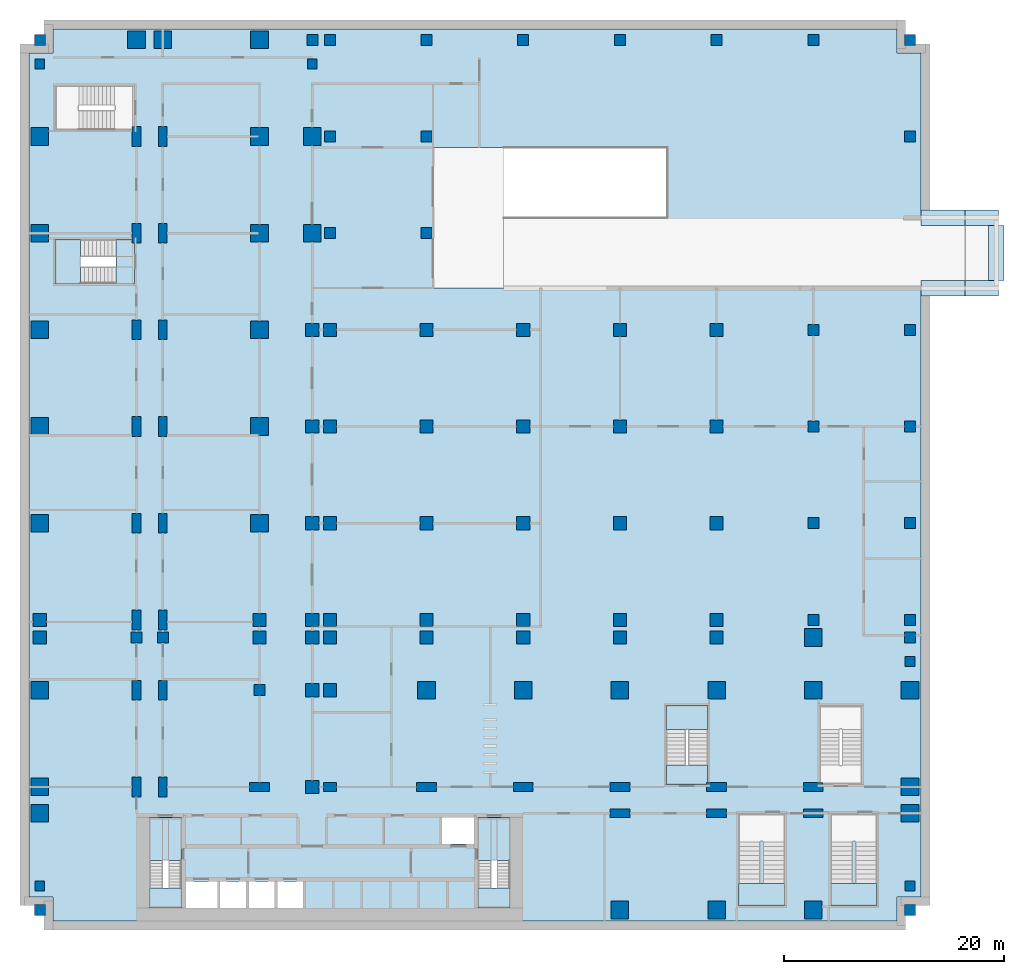
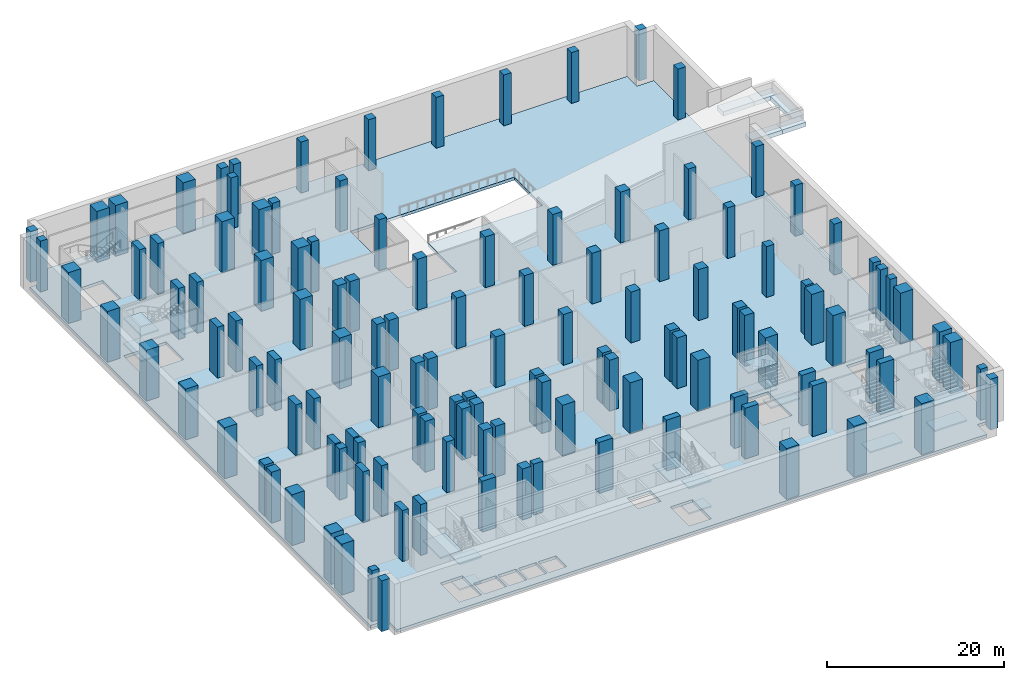
# One storey, part 1 of 15: 126 columns, 17 slabs, 5 footings, 6 elements without a shape of their own.
"""IFC4 building model written with IfcOpenShell, lengths in metres."""

from ifc_helpers import new_model, si_unit, direction, frame, origin, origin_2d, place, context, subcontext, project, spatial, polyline, rectangle, outline, extrude, material, layer, layer_set, material_profile, profile_set, type_object, element, aggregate, save


model = new_model("IFC4")

# Units and contexts
model_context = context("Model", 3, precision=1e-05, world=origin(), true_north=direction((0.0, 1.0)))
body_context = subcontext(model_context, "Body", "Model", "MODEL_VIEW")
ifc_project = project(units=[si_unit("LENGTHUNIT", "METRE"), si_unit("AREAUNIT", "SQUARE_METRE"), si_unit("VOLUMEUNIT", "CUBIC_METRE"), si_unit("PLANEANGLEUNIT", "RADIAN"), si_unit("MASSUNIT", "GRAM", prefix="KILO")], contexts=[model_context])

# Site, building, storey
site_placement = place(None, origin())
site = spatial("IfcSite", under=ifc_project, at=site_placement, CompositionType="ELEMENT")
building_placement = place(site_placement, origin())
building = spatial("IfcBuilding", under=site, at=building_placement, Name="Kemantara Hotel Tower", CompositionType="ELEMENT")
storey_placement = place(building_placement, frame((0.0, 0.0, -7.0)))
storey = spatial("IfcBuildingStorey", under=building, at=storey_placement, Name="B1", CompositionType="ELEMENT", Elevation=-7.0)

# Footings
ifc_material_1 = material(Name="Concrete fc 40 MPa", Category="concrete")
footing_type = type_object("IfcFootingType", Name="RC STRIP FOOTING 1400X600", PredefinedType="STRIP_FOOTING", material=ifc_material_1)
footing_1_placement = place(storey_placement, frame((0.0, 0.0, 4.60009765625)))
element("IfcFooting", 1, at=footing_1_placement, inside=storey, type_object=footing_type, Name="STRIP FOOTING UNDER RAMP RETAINING WALL", PredefinedType="STRIP_FOOTING", context=body_context, shape_type="SweptSolid", body=[
    extrude(outline(polyline([(81.199951171875, 56.89990234375), (85.199951171875, 56.89990234375), (85.199951171875, 58.300048828125), (81.199951171875, 58.300048828125), (81.199951171875, 56.89990234375)])), origin(), (0.0, 0.0, 1.0), 0.599853515625),
])
footing_2_placement = place(storey_placement, frame((0.0, 0.0, 4.60009765625)))
element("IfcFooting", 2, at=footing_2_placement, inside=storey, type_object=footing_type, Name="STRIP FOOTING UNDER RAMP RETAINING WALL", PredefinedType="STRIP_FOOTING", context=body_context, shape_type="SweptSolid", body=[
    extrude(outline(polyline([(81.199951171875, 63.300048828125), (85.199951171875, 63.300048828125), (85.199951171875, 64.699951171875), (81.199951171875, 64.699951171875), (81.199951171875, 63.300048828125)])), origin(), (0.0, 0.0, 1.0), 0.599853515625),
])
footing_3_placement = place(storey_placement, frame((0.0, 0.0, 4.60009765625)))
element("IfcFooting", 3, at=footing_3_placement, inside=storey, type_object=footing_type, Name="STRIP FOOTING UNDER RAMP RETAINING WALL", PredefinedType="STRIP_FOOTING", context=body_context, shape_type="SweptSolid", body=[
    extrude(outline(polyline([(85.199951171875, 56.89990234375), (88.2568359375, 56.89990234375), (88.2568359375, 58.300048828125), (85.199951171875, 58.300048828125), (85.199951171875, 56.89990234375)])), origin(), (0.0, 0.0, 1.0), 0.599853515625),
])
footing_4_placement = place(storey_placement, frame((0.0, 0.0, 4.60009765625)))
element("IfcFooting", 4, at=footing_4_placement, inside=storey, type_object=footing_type, Name="STRIP FOOTING UNDER RAMP RETAINING WALL", PredefinedType="STRIP_FOOTING", context=body_context, shape_type="SweptSolid", body=[
    extrude(outline(polyline([(85.199951171875, 63.300048828125), (88.2568359375, 63.300048828125), (88.2568359375, 64.699951171875), (85.199951171875, 64.699951171875), (85.199951171875, 63.300048828125)])), origin(), (0.0, 0.0, 1.0), 0.599853515625),
])
footing_5_placement = place(storey_placement, frame((0.0, 0.0, 4.60009765625)))
element("IfcFooting", 5, at=footing_5_placement, inside=storey, type_object=footing_type, Name="STRIP FOOTING UNDER RAMP RETAINING WALL", PredefinedType="STRIP_FOOTING", context=body_context, shape_type="SweptSolid", body=[
    extrude(outline(polyline([(87.356689453125, 58.300048828125), (88.7568359375, 58.300048828125), (88.7568359375, 63.300048828125), (87.356689453125, 63.300048828125), (87.356689453125, 58.300048828125)])), origin(), (0.0, 0.0, 1.0), 0.599853515625),
])

# Columns
ifc_material_2 = material(Name="Concrete fc 70 MPa", Category="concrete")
ifc_material_profile_1 = material_profile(ifc_material_2, rectangle(XDim=1.0, YDim=1.0, at=origin_2d()), Name="RC 1000X1000")
ifc_profile_set_1 = profile_set([ifc_material_profile_1], Name="Concrete fc 70 MPa")
column_type_1 = type_object("IfcColumnType", Name="RC COLUMN 1000X1000 FC70", PredefinedType="COLUMN", material=ifc_profile_set_1)
for number, where, z_axis, x_axis, name in (
    (6, (1.0, 1.0, 0.0), (0.0, 0.0, 1.0), (1.0, 0.0, 0.0), "COLUMN 1/A B1"),
    (7, (1.0, 80.199951171875, 0.0), (0.0, 0.0, 1.0), (1.0, 0.0, 0.0), "COLUMN 1/K B1"),
    (8, (9.800048828125, 25.800048828125, 0.0), (0.0, 0.0, 1.0), (1.0, 0.0, 0.0), "COLUMN 2/CA B1"),
    (9, (12.199951171875, 25.800048828125, 0.0), (0.0, 0.0, 1.0), (1.0, 0.0, 0.0), "COLUMN 2A/CA B1"),
    (10, (21.0, 21.0, 0.0), (0.0, 0.0, 1.0), (1.0, 0.0, 0.0), "COLUMN 3/C B1"),
    (11, (25.800048828125, 80.199951171875, 0.0), (0.0, 0.0, 1.0), (1.0, 0.0, 0.0), "COLUMN 3A/K B1"),
    (12, (27.39990234375, 62.60009765625, 0.0), (0.0, 0.0, 1.0), (1.0, 0.0, 0.0), "COLUMN 4/H B1"),
    (13, (27.39990234375, 71.39990234375, 0.0), (0.0, 0.0, 1.0), (1.0, 0.0, 0.0), "COLUMN 4/J B1"),
    (14, (27.39990234375, 80.199951171875, 0.0), (0.0, 0.0, 1.0), (1.0, 0.0, 0.0), "COLUMN 4/K B1"),
    (15, (36.199951171875, 62.60009765625, 0.0), (0.0, 0.0, 1.0), (1.0, 0.0, 0.0), "COLUMN 5/H B1"),
    (16, (36.199951171875, 71.39990234375, 0.0), (0.0, 0.0, 1.0), (1.0, 0.0, 0.0), "COLUMN 5/J B1"),
    (17, (36.199951171875, 80.199951171875, 0.0), (0.0, 0.0, 1.0), (1.0, 0.0, 0.0), "COLUMN 5/K B1"),
    (18, (45.0, 80.199951171875, 0.0), (0.0, 0.0, 1.0), (1.0, 0.0, 0.0), "COLUMN 6/K B1"),
    (19, (53.800048828125, 80.199951171875, 0.0), (0.0, 0.0, 1.0), (1.0, 0.0, 0.0), "COLUMN 7/K B1"),
    (20, (62.60009765625, 80.199951171875, 0.0), (0.0, 0.0, 1.0), (1.0, 0.0, 0.0), "COLUMN 8/K B1"),
    (21, (71.39990234375, 27.39990234375, 0.0), (0.0, 0.0, 1.0), (1.0, 0.0, 0.0), "COLUMN 9/D B1"),
    (22, (71.39990234375, 36.199951171875, 0.0), (0.0, 0.0, 1.0), (1.0, 0.0, 0.0), "COLUMN 9/E B1"),
    (23, (71.39990234375, 45.0, 0.0), (0.0, 0.0, 1.0), (1.0, 0.0, 0.0), "COLUMN 9/F B1"),
    (24, (71.39990234375, 53.800048828125, 0.0), (0.0, 0.0, 1.0), (1.0, 0.0, 0.0), "COLUMN 9/G B1"),
    (25, (71.39990234375, 80.199951171875, 0.0), (0.0, 0.0, 1.0), (1.0, 0.0, 0.0), "COLUMN 9/K B1"),
    (26, (80.199951171875, 1.0, 0.0), (0.0, 0.0, 1.0), (1.0, 0.0, 0.0), "COLUMN 10/A B1"),
    (27, (80.199951171875, 25.800048828125, 0.0), (0.0, 0.0, 1.0), (1.0, 0.0, 0.0), "COLUMN 10/CA B1"),
    (28, (80.199951171875, 27.39990234375, 0.0), (0.0, 0.0, 1.0), (1.0, 0.0, 0.0), "COLUMN 10/D B1"),
    (29, (80.199951171875, 36.199951171875, 0.0), (0.0, 0.0, 1.0), (1.0, 0.0, 0.0), "COLUMN 10/E B1"),
    (30, (80.199951171875, 45.0, 0.0), (0.0, 0.0, 1.0), (1.0, 0.0, 0.0), "COLUMN 10/F B1"),
    (31, (80.199951171875, 53.800048828125, 0.0), (0.0, 0.0, 1.0), (1.0, 0.0, 0.0), "COLUMN 10/G B1"),
    (32, (80.199951171875, 71.39990234375, 0.0), (0.0, 0.0, 1.0), (1.0, 0.0, 0.0), "COLUMN 10/J B1"),
    (33, (80.199951171875, 80.199951171875, 0.0), (0.0, 0.0, 1.0), (1.0, 0.0, 0.0), "COLUMN 10/K B1"),
):
    element("IfcColumn", number, at=place(storey_placement, frame(where, z_axis=z_axis, x_axis=x_axis)), inside=storey, type_object=column_type_1, Name=name, PredefinedType="COLUMN", context=body_context, shape_type="SweptSolid", body=[
        extrude(rectangle(XDim=1.0, YDim=1.0, at=origin_2d()), origin(), (0.0, 0.0, 1.0), 7.0),
    ])
ifc_material_profile_2 = material_profile(ifc_material_2, rectangle(XDim=1.199951171875, YDim=1.199951171875, at=origin_2d()), Name="RC 1200X1200")
ifc_profile_set_2 = profile_set([ifc_material_profile_2], Name="Concrete fc 70 MPa")
column_type_2 = type_object("IfcColumnType", Name="RC COLUMN 1200X1200 FC70", PredefinedType="COLUMN", material=ifc_profile_set_2)
for number, where, z_axis, x_axis, name in (
    (34, (1.0, 25.800048828125, 0.0), (0.0, 0.0, 1.0), (1.0, 0.0, 0.0), "COLUMN 1/CA B1"),
    (35, (1.0, 27.39990234375, 0.0), (0.0, 0.0, 1.0), (1.0, 0.0, 0.0), "COLUMN 1/D B1"),
    (36, (21.0, 25.800048828125, 0.0), (0.0, 0.0, 1.0), (1.0, 0.0, 0.0), "COLUMN 3/CA B1"),
    (37, (21.0, 27.39990234375, 0.0), (0.0, 0.0, 1.0), (1.0, 0.0, 0.0), "COLUMN 3/D B1"),
    (38, (25.800048828125, 12.199951171875, 0.0), (0.0, 0.0, 1.0), (1.0, 0.0, 0.0), "COLUMN 3A/BA B1"),
    (39, (25.800048828125, 21.0, 0.0), (0.0, 0.0, 1.0), (1.0, 0.0, 0.0), "COLUMN 3A/C B1"),
    (40, (25.800048828125, 25.800048828125, 0.0), (0.0, 0.0, 1.0), (1.0, 0.0, 0.0), "COLUMN 3A/CA B1"),
    (41, (25.800048828125, 27.39990234375, 0.0), (0.0, 0.0, 1.0), (1.0, 0.0, 0.0), "COLUMN 3A/D B1"),
    (42, (25.800048828125, 36.199951171875, 0.0), (0.0, 0.0, 1.0), (1.0, 0.0, 0.0), "COLUMN 3A/E B1"),
    (43, (25.800048828125, 45.0, 0.0), (0.0, 0.0, 1.0), (1.0, 0.0, 0.0), "COLUMN 3A/F B1"),
    (44, (25.800048828125, 53.800048828125, 0.0), (0.0, 0.0, 1.0), (1.0, 0.0, 0.0), "COLUMN 3A/G B1"),
    (45, (27.39990234375, 21.0, 0.0), (0.0, 0.0, 1.0), (1.0, 0.0, 0.0), "COLUMN 4/C B1"),
    (46, (27.39990234375, 25.800048828125, 0.0), (0.0, 0.0, 1.0), (1.0, 0.0, 0.0), "COLUMN 4/CA B1"),
    (47, (27.39990234375, 27.39990234375, 0.0), (0.0, 0.0, 1.0), (1.0, 0.0, 0.0), "COLUMN 4/D B1"),
    (48, (27.39990234375, 36.199951171875, 0.0), (0.0, 0.0, 1.0), (1.0, 0.0, 0.0), "COLUMN 4/E B1"),
    (49, (27.39990234375, 45.0, 0.0), (0.0, 0.0, 1.0), (1.0, 0.0, 0.0), "COLUMN 4/F B1"),
    (50, (27.39990234375, 53.800048828125, 0.0), (0.0, 0.0, 1.0), (1.0, 0.0, 0.0), "COLUMN 4/G B1"),
    (51, (36.199951171875, 25.800048828125, 0.0), (0.0, 0.0, 1.0), (1.0, 0.0, 0.0), "COLUMN 5/CA B1"),
    (52, (36.199951171875, 27.39990234375, 0.0), (0.0, 0.0, 1.0), (1.0, 0.0, 0.0), "COLUMN 5/D B1"),
    (53, (36.199951171875, 36.199951171875, 0.0), (0.0, 0.0, 1.0), (1.0, 0.0, 0.0), "COLUMN 5/E B1"),
    (54, (36.199951171875, 45.0, 0.0), (0.0, 0.0, 1.0), (1.0, 0.0, 0.0), "COLUMN 5/F B1"),
    (55, (36.199951171875, 53.800048828125, 0.0), (0.0, 0.0, 1.0), (1.0, 0.0, 0.0), "COLUMN 5/G B1"),
    (56, (45.0, 25.800048828125, 0.0), (0.0, 0.0, 1.0), (1.0, 0.0, 0.0), "COLUMN 6/CA B1"),
    (57, (45.0, 27.39990234375, 0.0), (0.0, 0.0, 1.0), (1.0, 0.0, 0.0), "COLUMN 6/D B1"),
    (58, (45.0, 36.199951171875, 0.0), (0.0, 0.0, 1.0), (1.0, 0.0, 0.0), "COLUMN 6/E B1"),
    (59, (45.0, 45.0, 0.0), (0.0, 0.0, 1.0), (1.0, 0.0, 0.0), "COLUMN 6/F B1"),
    (60, (45.0, 53.800048828125, 0.0), (0.0, 0.0, 1.0), (1.0, 0.0, 0.0), "COLUMN 6/G B1"),
    (61, (53.800048828125, 25.800048828125, 0.0), (0.0, 0.0, 1.0), (1.0, 0.0, 0.0), "COLUMN 7/CA B1"),
    (62, (53.800048828125, 27.39990234375, 0.0), (0.0, 0.0, 1.0), (1.0, 0.0, 0.0), "COLUMN 7/D B1"),
    (63, (53.800048828125, 36.199951171875, 0.0), (0.0, 0.0, 1.0), (1.0, 0.0, 0.0), "COLUMN 7/E B1"),
    (64, (53.800048828125, 45.0, 0.0), (0.0, 0.0, 1.0), (1.0, 0.0, 0.0), "COLUMN 7/F B1"),
    (65, (53.800048828125, 53.800048828125, 0.0), (0.0, 0.0, 1.0), (1.0, 0.0, 0.0), "COLUMN 7/G B1"),
    (66, (62.60009765625, 25.800048828125, 0.0), (0.0, 0.0, 1.0), (1.0, 0.0, 0.0), "COLUMN 8/CA B1"),
    (67, (62.60009765625, 27.39990234375, 0.0), (0.0, 0.0, 1.0), (1.0, 0.0, 0.0), "COLUMN 8/D B1"),
    (68, (62.60009765625, 36.199951171875, 0.0), (0.0, 0.0, 1.0), (1.0, 0.0, 0.0), "COLUMN 8/E B1"),
    (69, (62.60009765625, 45.0, 0.0), (0.0, 0.0, 1.0), (1.0, 0.0, 0.0), "COLUMN 8/F B1"),
    (70, (62.60009765625, 53.800048828125, 0.0), (0.0, 0.0, 1.0), (1.0, 0.0, 0.0), "COLUMN 8/G B1"),
):
    element("IfcColumn", number, at=place(storey_placement, frame(where, z_axis=z_axis, x_axis=x_axis)), inside=storey, type_object=column_type_2, Name=name, PredefinedType="COLUMN", context=body_context, shape_type="SweptSolid", body=[
        extrude(rectangle(XDim=1.199951171875, YDim=1.199951171875, at=origin_2d()), origin(), (0.0, 0.0, 1.0), 7.0),
    ])
ifc_material_profile_3 = material_profile(ifc_material_2, rectangle(XDim=1.199951171875, YDim=0.800048828125, at=origin_2d()), Name="RC 1200X800")
ifc_profile_set_3 = profile_set([ifc_material_profile_3], Name="Concrete fc 70 MPa")
column_type_3 = type_object("IfcColumnType", Name="RC COLUMN 1200X800 FC70", PredefinedType="COLUMN", material=ifc_profile_set_3)
column_placement = place(storey_placement, frame((27.39990234375, 12.199951171875, 0.0), z_axis=(0.0, 0.0, 1.0), x_axis=(1.0, 0.0, 0.0)))
element("IfcColumn", 71, at=column_placement, inside=storey, type_object=column_type_3, Name="COLUMN 4/BA B1", PredefinedType="COLUMN", context=body_context, shape_type="SweptSolid", body=[
    extrude(rectangle(XDim=1.199951171875, YDim=0.800048828125, at=origin_2d()), origin(), (0.0, 0.0, 1.0), 7.0),
])
ifc_material_profile_4 = material_profile(ifc_material_2, rectangle(XDim=1.60009765625, YDim=1.60009765625, at=origin_2d()), Name="RC 1600X1600")
ifc_profile_set_4 = profile_set([ifc_material_profile_4], Name="Concrete fc 70 MPa")
column_type_4 = type_object("IfcColumnType", Name="RC COLUMN 1600X1600 FC70", PredefinedType="COLUMN", material=ifc_profile_set_4)
for number, where, z_axis, x_axis, name in (
    (72, (1.0, 9.800048828125, 0.0), (0.0, 0.0, 1.0), (1.0, 0.0, 0.0), "COLUMN 1/B B1"),
    (73, (1.0, 12.199951171875, 0.0), (0.0, 0.0, 1.0), (1.0, 0.0, 0.0), "COLUMN 1/BA B1"),
    (74, (1.0, 21.0, 0.0), (0.0, 0.0, 1.0), (1.0, 0.0, 0.0), "COLUMN 1/C B1"),
    (75, (1.0, 36.199951171875, 0.0), (0.0, 0.0, 1.0), (1.0, 0.0, 0.0), "COLUMN 1/E B1"),
    (76, (1.0, 45.0, 0.0), (0.0, 0.0, 1.0), (1.0, 0.0, 0.0), "COLUMN 1/F B1"),
    (77, (1.0, 53.800048828125, 0.0), (0.0, 0.0, 1.0), (1.0, 0.0, 0.0), "COLUMN 1/G B1"),
    (78, (1.0, 62.60009765625, 0.0), (0.0, 0.0, 1.0), (1.0, 0.0, 0.0), "COLUMN 1/H B1"),
    (79, (1.0, 71.39990234375, 0.0), (0.0, 0.0, 1.0), (1.0, 0.0, 0.0), "COLUMN 1/J B1"),
    (80, (9.800048828125, 80.199951171875, 0.0), (0.0, 0.0, 1.0), (1.0, 0.0, 0.0), "COLUMN 2/K B1"),
    (81, (12.199951171875, 80.199951171875, 0.0), (0.0, 0.0, 1.0), (1.0, 0.0, 0.0), "COLUMN 2A/K B1"),
    (82, (21.0, 36.199951171875, 0.0), (0.0, 0.0, 1.0), (1.0, 0.0, 0.0), "COLUMN 3/E B1"),
    (83, (21.0, 45.0, 0.0), (0.0, 0.0, 1.0), (1.0, 0.0, 0.0), "COLUMN 3/F B1"),
    (84, (21.0, 53.800048828125, 0.0), (0.0, 0.0, 1.0), (1.0, 0.0, 0.0), "COLUMN 3/G B1"),
    (85, (21.0, 62.60009765625, 0.0), (0.0, 0.0, 1.0), (1.0, 0.0, 0.0), "COLUMN 3/H B1"),
    (86, (21.0, 71.39990234375, 0.0), (0.0, 0.0, 1.0), (1.0, 0.0, 0.0), "COLUMN 3/J B1"),
    (87, (21.0, 80.199951171875, 0.0), (0.0, 0.0, 1.0), (1.0, 0.0, 0.0), "COLUMN 3/K B1"),
    (88, (25.800048828125, 62.60009765625, 0.0), (0.0, 0.0, 1.0), (1.0, 0.0, 0.0), "COLUMN 3A/H B1"),
    (89, (25.800048828125, 71.39990234375, 0.0), (0.0, 0.0, 1.0), (1.0, 0.0, 0.0), "COLUMN 3A/J B1"),
    (90, (36.199951171875, 21.0, 0.0), (0.0, 0.0, 1.0), (1.0, 0.0, 0.0), "COLUMN 5/C B1"),
    (91, (45.0, 21.0, 0.0), (0.0, 0.0, 1.0), (1.0, 0.0, 0.0), "COLUMN 6/C B1"),
    (92, (53.800048828125, 1.0, 0.0), (0.0, 0.0, 1.0), (1.0, 0.0, 0.0), "COLUMN 7/A B1"),
    (93, (53.800048828125, 21.0, 0.0), (0.0, 0.0, 1.0), (1.0, 0.0, 0.0), "COLUMN 7/C B1"),
    (94, (62.60009765625, 1.0, 0.0), (0.0, 0.0, 1.0), (1.0, 0.0, 0.0), "COLUMN 8/A B1"),
    (95, (62.60009765625, 21.0, 0.0), (0.0, 0.0, 1.0), (1.0, 0.0, 0.0), "COLUMN 8/C B1"),
    (96, (71.39990234375, 1.0, 0.0), (0.0, 0.0, 1.0), (1.0, 0.0, 0.0), "COLUMN 9/A B1"),
    (97, (71.39990234375, 21.0, 0.0), (0.0, 0.0, 1.0), (1.0, 0.0, 0.0), "COLUMN 9/C B1"),
    (98, (71.39990234375, 25.800048828125, 0.0), (0.0, 0.0, 1.0), (1.0, 0.0, 0.0), "COLUMN 9/CA B1"),
    (99, (80.199951171875, 9.800048828125, 0.0), (0.0, 0.0, 1.0), (1.0, 0.0, 0.0), "COLUMN 10/B B1"),
    (100, (80.199951171875, 12.199951171875, 0.0), (0.0, 0.0, 1.0), (1.0, 0.0, 0.0), "COLUMN 10/BA B1"),
    (101, (80.199951171875, 21.0, 0.0), (0.0, 0.0, 1.0), (1.0, 0.0, 0.0), "COLUMN 10/C B1"),
):
    element("IfcColumn", number, at=place(storey_placement, frame(where, z_axis=z_axis, x_axis=x_axis)), inside=storey, type_object=column_type_4, Name=name, PredefinedType="COLUMN", context=body_context, shape_type="SweptSolid", body=[
        extrude(rectangle(XDim=1.60009765625, YDim=1.60009765625, at=origin_2d()), origin(), (0.0, 0.0, 1.0), 7.0),
    ])
ifc_material_profile_5 = material_profile(ifc_material_2, rectangle(XDim=1.800048828125, YDim=0.800048828125, at=origin_2d()), Name="RC 1800X800")
ifc_profile_set_5 = profile_set([ifc_material_profile_5], Name="Concrete fc 70 MPa")
column_type_5 = type_object("IfcColumnType", Name="RC COLUMN 1800X800 FC70", PredefinedType="COLUMN", material=ifc_profile_set_5)
for number, where, z_axis, x_axis, name in (
    (102, (9.800048828125, 12.199951171875, 0.0), (0.0, 0.0, 1.0), (0.0, 1.0, 0.0), "COLUMN 2/BA B1"),
    (103, (9.800048828125, 21.0, 0.0), (0.0, 0.0, 1.0), (0.0, 1.0, 0.0), "COLUMN 2/C B1"),
    (104, (9.800048828125, 27.39990234375, 0.0), (0.0, 0.0, 1.0), (0.0, 1.0, 0.0), "COLUMN 2/D B1"),
    (105, (9.800048828125, 36.199951171875, 0.0), (0.0, 0.0, 1.0), (0.0, 1.0, 0.0), "COLUMN 2/E B1"),
    (106, (9.800048828125, 45.0, 0.0), (0.0, 0.0, 1.0), (0.0, 1.0, 0.0), "COLUMN 2/F B1"),
    (107, (9.800048828125, 53.800048828125, 0.0), (0.0, 0.0, 1.0), (0.0, 1.0, 0.0), "COLUMN 2/G B1"),
    (108, (9.800048828125, 62.60009765625, 0.0), (0.0, 0.0, 1.0), (0.0, 1.0, 0.0), "COLUMN 2/H B1"),
    (109, (9.800048828125, 71.39990234375, 0.0), (0.0, 0.0, 1.0), (0.0, 1.0, 0.0), "COLUMN 2/J B1"),
    (110, (12.199951171875, 12.199951171875, 0.0), (0.0, 0.0, 1.0), (0.0, 1.0, 0.0), "COLUMN 2A/BA B1"),
    (111, (12.199951171875, 21.0, 0.0), (0.0, 0.0, 1.0), (0.0, 1.0, 0.0), "COLUMN 2A/C B1"),
    (112, (12.199951171875, 27.39990234375, 0.0), (0.0, 0.0, 1.0), (0.0, 1.0, 0.0), "COLUMN 2A/D B1"),
    (113, (12.199951171875, 36.199951171875, 0.0), (0.0, 0.0, 1.0), (0.0, 1.0, 0.0), "COLUMN 2A/E B1"),
    (114, (12.199951171875, 45.0, 0.0), (0.0, 0.0, 1.0), (0.0, 1.0, 0.0), "COLUMN 2A/F B1"),
    (115, (12.199951171875, 53.800048828125, 0.0), (0.0, 0.0, 1.0), (0.0, 1.0, 0.0), "COLUMN 2A/G B1"),
    (116, (12.199951171875, 62.60009765625, 0.0), (0.0, 0.0, 1.0), (0.0, 1.0, 0.0), "COLUMN 2A/H B1"),
    (117, (12.199951171875, 71.39990234375, 0.0), (0.0, 0.0, 1.0), (0.0, 1.0, 0.0), "COLUMN 2A/J B1"),
    (118, (21.0, 12.199951171875, 0.0), (0.0, 0.0, 1.0), (1.0, 0.0, 0.0), "COLUMN 3/BA B1"),
    (119, (36.199951171875, 12.199951171875, 0.0), (0.0, 0.0, 1.0), (1.0, 0.0, 0.0), "COLUMN 5/BA B1"),
    (120, (45.0, 12.199951171875, 0.0), (0.0, 0.0, 1.0), (1.0, 0.0, 0.0), "COLUMN 6/BA B1"),
    (121, (53.800048828125, 9.800048828125, 0.0), (0.0, 0.0, 1.0), (1.0, 0.0, 0.0), "COLUMN 7/B B1"),
    (122, (53.800048828125, 12.199951171875, 0.0), (0.0, 0.0, 1.0), (1.0, 0.0, 0.0), "COLUMN 7/BA B1"),
    (123, (62.60009765625, 9.800048828125, 0.0), (0.0, 0.0, 1.0), (1.0, 0.0, 0.0), "COLUMN 8/B B1"),
    (124, (62.60009765625, 12.199951171875, 0.0), (0.0, 0.0, 1.0), (1.0, 0.0, 0.0), "COLUMN 8/BA B1"),
    (125, (71.39990234375, 9.800048828125, 0.0), (0.0, 0.0, 1.0), (1.0, 0.0, 0.0), "COLUMN 9/B B1"),
    (126, (71.39990234375, 12.199951171875, 0.0), (0.0, 0.0, 1.0), (1.0, 0.0, 0.0), "COLUMN 9/BA B1"),
):
    element("IfcColumn", number, at=place(storey_placement, frame(where, z_axis=z_axis, x_axis=x_axis)), inside=storey, type_object=column_type_5, Name=name, PredefinedType="COLUMN", context=body_context, shape_type="SweptSolid", body=[
        extrude(rectangle(XDim=1.800048828125, YDim=0.800048828125, at=origin_2d()), origin(), (0.0, 0.0, 1.0), 7.0),
    ])
ifc_material_profile_6 = material_profile(ifc_material_2, rectangle(XDim=0.89990234375, YDim=0.89990234375, at=origin_2d()), Name="RC 900X900")
ifc_profile_set_6 = profile_set([ifc_material_profile_6], Name="Concrete fc 70 MPa")
column_type_6 = type_object("IfcColumnType", Name="RC COLUMN 900X900 FC70", PredefinedType="COLUMN", material=ifc_profile_set_6)
for number, where, z_axis, x_axis, name in (
    (127, (1.0, 3.199951171875, 0.0), (0.0, 0.0, 1.0), (1.0, 0.0, 0.0), "COLUMN notch corner B1"),
    (128, (1.0, 78.0, 0.0), (0.0, 0.0, 1.0), (1.0, 0.0, 0.0), "COLUMN notch corner B1"),
    (129, (25.800048828125, 78.0, 0.0), (0.0, 0.0, 1.0), (1.0, 0.0, 0.0), "COLUMN notch corner B1"),
    (130, (80.199951171875, 3.199951171875, 0.0), (0.0, 0.0, 1.0), (1.0, 0.0, 0.0), "COLUMN notch corner B1"),
    (131, (80.199951171875, 23.60009765625, 0.0), (0.0, 0.0, 1.0), (1.0, 0.0, 0.0), "COLUMN notch corner B1"),
):
    element("IfcColumn", number, at=place(storey_placement, frame(where, z_axis=z_axis, x_axis=x_axis)), inside=storey, type_object=column_type_6, Name=name, PredefinedType="COLUMN", context=body_context, shape_type="SweptSolid", body=[
        extrude(rectangle(XDim=0.89990234375, YDim=0.89990234375, at=origin_2d()), origin(), (0.0, 0.0, 1.0), 7.0),
    ])

# Slab
ifc_layer_1 = layer(ifc_material_1, 0.402099609375)
ifc_layer_set_1 = layer_set([ifc_layer_1], Name="Concrete fc 40 MPa")
slab_type_1 = type_object("IfcSlabType", Name="REINFORCED DECK SLAB 402", PredefinedType="FLOOR", material=ifc_layer_set_1)
slab_1_placement = place(storey_placement, frame((0.0, 0.0, -0.402099609375)))
element("IfcSlab", 132, at=slab_1_placement, inside=storey, type_object=slab_type_1, Name="FLOOR SLAB B1", PredefinedType="FLOOR", context=body_context, shape_type="SweptSolid", body=[
    extrude(outline(polyline([(81.199951171875, 2.199951171875), (81.199951171875, 79.0), (79.0, 79.0), (79.0, 81.199951171875), (2.199951171875, 81.199951171875), (2.199951171875, 79.0), (0.0, 79.0), (0.0, 2.199951171875), (2.199951171875, 2.199951171875), (2.199951171875, 0.0), (79.0, 0.0), (79.0, 2.199951171875), (81.199951171875, 2.199951171875)]), holes=[polyline([(17.175048828125, 3.60009765625), (17.175048828125, 1.199951171875), (14.22509765625, 1.199951171875), (14.22509765625, 3.60009765625), (17.175048828125, 3.60009765625)]), polyline([(19.77490234375, 1.199951171875), (17.425048828125, 1.199951171875), (17.425048828125, 3.60009765625), (19.77490234375, 3.60009765625), (19.77490234375, 1.199951171875)]), polyline([(22.375, 1.199951171875), (20.02490234375, 1.199951171875), (20.02490234375, 3.60009765625), (22.375, 3.60009765625), (22.375, 1.199951171875)]), polyline([(24.97509765625, 3.60009765625), (24.97509765625, 1.199951171875), (22.625, 1.199951171875), (22.625, 3.60009765625), (24.97509765625, 3.60009765625)]), polyline([(11.0, 1.199951171875), (11.0, 5.49951171875), (13.89990234375, 5.49951171875), (13.89990234375, 1.199951171875), (11.0, 1.199951171875)]), polyline([(2.39990234375, 62.0), (7.949462890625, 62.0), (7.949462890625, 58.0), (2.39990234375, 58.0), (2.39990234375, 62.0)]), polyline([(2.39990234375, 72.0), (2.39990234375, 76.0), (7.79931640625, 76.0), (7.79931640625, 72.0), (2.39990234375, 72.0)]), polyline([(40.89990234375, 1.199951171875), (40.89990234375, 5.49951171875), (43.800048828125, 5.49951171875), (43.800048828125, 1.199951171875), (40.89990234375, 1.199951171875)]), polyline([(40.574951171875, 7.0), (37.625, 7.0), (37.625, 9.39990234375), (40.574951171875, 9.39990234375), (40.574951171875, 7.0)]), polyline([(61.800048828125, 19.60009765625), (61.800048828125, 14.20068359375), (58.0, 14.20068359375), (58.0, 19.60009765625), (61.800048828125, 19.60009765625)]), polyline([(75.800048828125, 19.60009765625), (75.800048828125, 14.20068359375), (72.0, 14.20068359375), (72.0, 19.60009765625), (75.800048828125, 19.60009765625)]), polyline([(36.800048828125, 70.39990234375), (43.199951171875, 70.39990234375), (58.125, 70.39990234375), (58.125, 64.0), (43.199951171875, 64.0), (43.199951171875, 57.60009765625), (36.800048828125, 57.60009765625), (36.800048828125, 70.39990234375)])]), origin(), (0.0, 0.0, 1.0), 0.402099609375),
])

# Stair, slabs
stair_type_1 = type_object("IfcStairType", Name="Stair 1200 wide 40 risers of 175 x 280 mm", PredefinedType="HALF_TURN_STAIR", material=ifc_material_1)
stair_1_placement = place(storey_placement, origin())
stair_1 = element("IfcStair", 133, at=stair_1_placement, inside=storey, type_object=stair_type_1, Name="B1 Exit stair ST1", PredefinedType="HALF_TURN_STAIR")
ifc_layer_2 = layer(ifc_material_1, 0.199951171875)
ifc_layer_set_2 = layer_set([ifc_layer_2], Name="Concrete fc 40 MPa")
slab_type_2 = type_object("IfcSlabType", Name="Stair landing 200 mm", PredefinedType="LANDING", material=ifc_layer_set_2)
slab_2_placement = place(storey_placement, frame((0.0, 0.0, 1.550048828125)))
slab_2 = element("IfcSlab", 134, at=slab_2_placement, type_object=slab_type_2, Name="ST1 landing 1", PredefinedType="LANDING", context=body_context, shape_type="SweptSolid", body=[
    extrude(outline(polyline([(11.0, 2.97998046875), (11.0, 1.199951171875), (13.89990234375, 1.199951171875), (13.89990234375, 2.97998046875), (11.0, 2.97998046875)])), origin(), (0.0, 0.0, 1.0), 0.199951171875),
])
slab_3_placement = place(storey_placement, frame((0.0, 0.0, 3.300048828125)))
slab_3 = element("IfcSlab", 135, at=slab_3_placement, type_object=slab_type_2, Name="ST1 landing 2", PredefinedType="LANDING", context=body_context, shape_type="SweptSolid", body=[
    extrude(outline(polyline([(11.0, 9.39990234375), (11.0, 5.5), (13.89990234375, 5.5), (13.89990234375, 9.39990234375), (11.0, 9.39990234375)])), origin(), (0.0, 0.0, 1.0), 0.199951171875),
])
slab_4_placement = place(storey_placement, frame((0.0, 0.0, 5.050048828125)))
slab_4 = element("IfcSlab", 136, at=slab_4_placement, type_object=slab_type_2, Name="ST1 landing 3", PredefinedType="LANDING", context=body_context, shape_type="SweptSolid", body=[
    extrude(outline(polyline([(11.0, 2.97998046875), (11.0, 1.199951171875), (13.89990234375, 1.199951171875), (13.89990234375, 2.97998046875), (11.0, 2.97998046875)])), origin(), (0.0, 0.0, 1.0), 0.199951171875),
])
aggregate(stair_1, [slab_2, slab_3, slab_4])

stair_2_placement = place(storey_placement, origin())
stair_2 = element("IfcStair", 137, at=stair_2_placement, inside=storey, type_object=stair_type_1, Name="B1 Exit stair ST2", PredefinedType="HALF_TURN_STAIR")
slab_5_placement = place(storey_placement, frame((0.0, 0.0, 1.550048828125)))
slab_5 = element("IfcSlab", 138, at=slab_5_placement, type_object=slab_type_2, Name="ST2 landing 1", PredefinedType="LANDING", context=body_context, shape_type="SweptSolid", body=[
    extrude(outline(polyline([(40.89990234375, 2.97998046875), (40.89990234375, 1.199951171875), (43.800048828125, 1.199951171875), (43.800048828125, 2.97998046875), (40.89990234375, 2.97998046875)])), origin(), (0.0, 0.0, 1.0), 0.199951171875),
])
slab_6_placement = place(storey_placement, frame((0.0, 0.0, 3.300048828125)))
slab_6 = element("IfcSlab", 139, at=slab_6_placement, type_object=slab_type_2, Name="ST2 landing 2", PredefinedType="LANDING", context=body_context, shape_type="SweptSolid", body=[
    extrude(outline(polyline([(40.89990234375, 9.39990234375), (40.89990234375, 5.5), (43.800048828125, 5.5), (43.800048828125, 9.39990234375), (40.89990234375, 9.39990234375)])), origin(), (0.0, 0.0, 1.0), 0.199951171875),
])
slab_7_placement = place(storey_placement, frame((0.0, 0.0, 5.050048828125)))
slab_7 = element("IfcSlab", 140, at=slab_7_placement, type_object=slab_type_2, Name="ST2 landing 3", PredefinedType="LANDING", context=body_context, shape_type="SweptSolid", body=[
    extrude(outline(polyline([(40.89990234375, 2.97998046875), (40.89990234375, 1.199951171875), (43.800048828125, 1.199951171875), (43.800048828125, 2.97998046875), (40.89990234375, 2.97998046875)])), origin(), (0.0, 0.0, 1.0), 0.199951171875),
])
aggregate(stair_2, [slab_5, slab_6, slab_7])

stair_type_2 = type_object("IfcStairType", Name="Stair 1800 wide 40 risers of 175 x 360 mm", PredefinedType="HALF_TURN_STAIR", material=ifc_material_1)
stair_3_placement = place(storey_placement, origin())
stair_3 = element("IfcStair", 141, at=stair_3_placement, inside=storey, type_object=stair_type_2, Name="B1 Exit stair ST3", PredefinedType="HALF_TURN_STAIR")
slab_8_placement = place(storey_placement, frame((0.0, 0.0, 1.550048828125)))
slab_8 = element("IfcSlab", 142, at=slab_8_placement, type_object=slab_type_2, Name="ST3 landing 1", PredefinedType="LANDING", context=body_context, shape_type="SweptSolid", body=[
    extrude(outline(polyline([(61.800048828125, 17.43994140625), (61.800048828125, 19.60009765625), (58.0, 19.60009765625), (58.0, 17.43994140625), (61.800048828125, 17.43994140625)])), origin(), (0.0, 0.0, 1.0), 0.199951171875),
])
slab_9_placement = place(storey_placement, frame((0.0, 0.0, 3.300048828125)))
slab_9 = element("IfcSlab", 143, at=slab_9_placement, type_object=slab_type_2, Name="ST3 landing 2", PredefinedType="LANDING", context=body_context, shape_type="SweptSolid", body=[
    extrude(outline(polyline([(61.800048828125, 12.39990234375), (61.800048828125, 14.199951171875), (58.0, 14.199951171875), (58.0, 12.39990234375), (61.800048828125, 12.39990234375)])), origin(), (0.0, 0.0, 1.0), 0.199951171875),
])
slab_10_placement = place(storey_placement, frame((0.0, 0.0, 5.050048828125)))
slab_10 = element("IfcSlab", 144, at=slab_10_placement, type_object=slab_type_2, Name="ST3 landing 3", PredefinedType="LANDING", context=body_context, shape_type="SweptSolid", body=[
    extrude(outline(polyline([(61.800048828125, 17.43994140625), (61.800048828125, 19.60009765625), (58.0, 19.60009765625), (58.0, 17.43994140625), (61.800048828125, 17.43994140625)])), origin(), (0.0, 0.0, 1.0), 0.199951171875),
])
aggregate(stair_3, [slab_8, slab_9, slab_10])

stair_type_3 = type_object("IfcStairType", Name="Stair 1550 wide 40 risers of 175 x 360 mm", PredefinedType="HALF_TURN_STAIR", material=ifc_material_1)
stair_4_placement = place(storey_placement, origin())
stair_4 = element("IfcStair", 145, at=stair_4_placement, inside=storey, type_object=stair_type_3, Name="B1 Exit stair ST4", PredefinedType="HALF_TURN_STAIR")
slab_11_placement = place(storey_placement, frame((0.0, 0.0, 1.550048828125)))
slab_11 = element("IfcSlab", 146, at=slab_11_placement, type_object=slab_type_2, Name="ST4 landing 1", PredefinedType="LANDING", context=body_context, shape_type="SweptSolid", body=[
    extrude(outline(polyline([(4.7099609375, 62.0), (2.39990234375, 62.0), (2.39990234375, 58.0), (4.7099609375, 58.0), (4.7099609375, 62.0)])), origin(), (0.0, 0.0, 1.0), 0.199951171875),
])
slab_12_placement = place(storey_placement, frame((0.0, 0.0, 3.300048828125)))
slab_12 = element("IfcSlab", 147, at=slab_12_placement, type_object=slab_type_2, Name="ST4 landing 2", PredefinedType="LANDING", context=body_context, shape_type="SweptSolid", body=[
    extrude(outline(polyline([(9.60009765625, 62.0), (7.949951171875, 62.0), (7.949951171875, 58.0), (9.60009765625, 58.0), (9.60009765625, 62.0)])), origin(), (0.0, 0.0, 1.0), 0.199951171875),
])
slab_13_placement = place(storey_placement, frame((0.0, 0.0, 5.050048828125)))
slab_13 = element("IfcSlab", 148, at=slab_13_placement, type_object=slab_type_2, Name="ST4 landing 3", PredefinedType="LANDING", context=body_context, shape_type="SweptSolid", body=[
    extrude(outline(polyline([(4.7099609375, 62.0), (2.39990234375, 62.0), (2.39990234375, 58.0), (4.7099609375, 58.0), (4.7099609375, 62.0)])), origin(), (0.0, 0.0, 1.0), 0.199951171875),
])
aggregate(stair_4, [slab_11, slab_12, slab_13])

stair_type_4 = type_object("IfcStairType", Name="Stair 2000 wide 40 risers of 175 x 420 mm", PredefinedType="HALF_TURN_STAIR", material=ifc_material_1)
stair_5_placement = place(storey_placement, origin())
stair_5 = element("IfcStair", 149, at=stair_5_placement, inside=storey, type_object=stair_type_4, Name="B1 Stair PS4", PredefinedType="HALF_TURN_STAIR")
slab_14_placement = place(storey_placement, frame((0.0, 0.0, 1.550048828125)))
slab_14 = element("IfcSlab", 150, at=slab_14_placement, type_object=slab_type_2, Name="PS4 landing 1", PredefinedType="LANDING", context=body_context, shape_type="SweptSolid", body=[
    extrude(outline(polyline([(64.60009765625, 3.419921875), (64.60009765625, 1.39990234375), (68.800048828125, 1.39990234375), (68.800048828125, 3.419921875), (64.60009765625, 3.419921875)])), origin(), (0.0, 0.0, 1.0), 0.199951171875),
])
slab_15_placement = place(storey_placement, frame((0.0, 0.0, 5.050048828125)))
slab_15 = element("IfcSlab", 151, at=slab_15_placement, type_object=slab_type_2, Name="PS4 landing 3", PredefinedType="LANDING", context=body_context, shape_type="SweptSolid", body=[
    extrude(outline(polyline([(64.60009765625, 3.419921875), (64.60009765625, 1.39990234375), (68.800048828125, 1.39990234375), (68.800048828125, 3.419921875), (64.60009765625, 3.419921875)])), origin(), (0.0, 0.0, 1.0), 0.199951171875),
])
aggregate(stair_5, [slab_14, slab_15])

stair_6_placement = place(storey_placement, origin())
stair_6 = element("IfcStair", 152, at=stair_6_placement, inside=storey, type_object=stair_type_4, Name="B1 Stair PS5", PredefinedType="HALF_TURN_STAIR")
slab_16_placement = place(storey_placement, frame((0.0, 0.0, 1.550048828125)))
slab_16 = element("IfcSlab", 153, at=slab_16_placement, type_object=slab_type_2, Name="PS5 landing 1", PredefinedType="LANDING", context=body_context, shape_type="SweptSolid", body=[
    extrude(outline(polyline([(73.0, 3.419921875), (73.0, 1.39990234375), (77.199951171875, 1.39990234375), (77.199951171875, 3.419921875), (73.0, 3.419921875)])), origin(), (0.0, 0.0, 1.0), 0.199951171875),
])
slab_17_placement = place(storey_placement, frame((0.0, 0.0, 5.050048828125)))
slab_17 = element("IfcSlab", 154, at=slab_17_placement, type_object=slab_type_2, Name="PS5 landing 3", PredefinedType="LANDING", context=body_context, shape_type="SweptSolid", body=[
    extrude(outline(polyline([(73.0, 3.419921875), (73.0, 1.39990234375), (77.199951171875, 1.39990234375), (77.199951171875, 3.419921875), (73.0, 3.419921875)])), origin(), (0.0, 0.0, 1.0), 0.199951171875),
])
aggregate(stair_6, [slab_16, slab_17])

save(model, "model.ifc")
